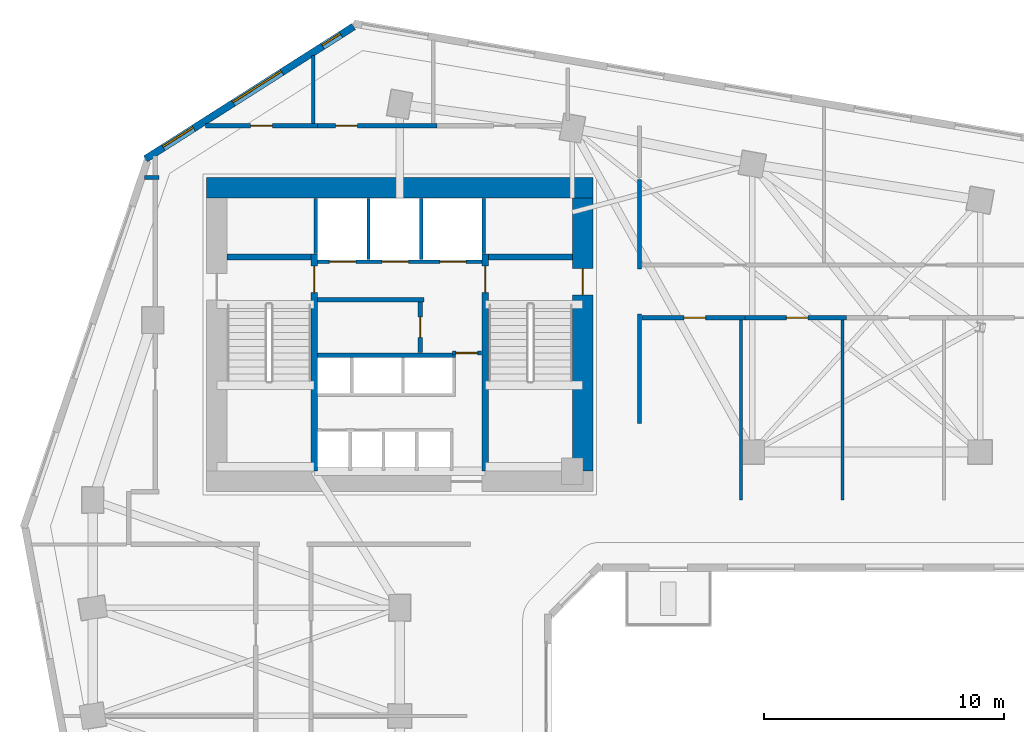
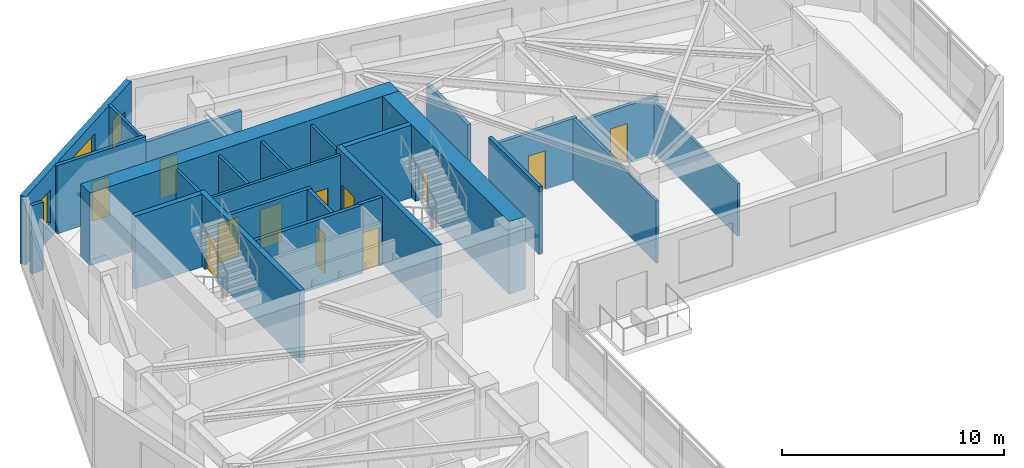
# One storey, part 6 of 9: 26 walls, 12 doors, 3 windows, 15 openings.
"""IFC4 building model written with IfcOpenShell, lengths in metres."""

from ifc_helpers import new_model, si_unit, direction, frame, frame_2d, origin, place, context, subcontext, project, spatial, rectangle, extrude, source, transform, mapped, material, layer, layer_set, type_object, element, fill, save


model = new_model("IFC4")

# Units and contexts
model_context = context("Model", 3, precision=1e-05, world=origin(), true_north=direction((0.0, 1.0)))
body_context = subcontext(model_context, "Body", "Model", "MODEL_VIEW")
ifc_project = project(units=[si_unit("LENGTHUNIT", "METRE"), si_unit("AREAUNIT", "SQUARE_METRE"), si_unit("VOLUMEUNIT", "CUBIC_METRE"), si_unit("PLANEANGLEUNIT", "RADIAN"), si_unit("MASSUNIT", "GRAM", prefix="KILO")], contexts=[model_context])

# Site, building, storey
site_placement = place(None, origin())
site = spatial("IfcSite", under=ifc_project, at=site_placement, CompositionType="ELEMENT")
building_placement = place(site_placement, origin())
building = spatial("IfcBuilding", under=site, at=building_placement, Name="Calvemar Wedge Station Tower", CompositionType="ELEMENT")
storey_placement = place(building_placement, frame((0.0, 0.0, 91.0)))
storey = spatial("IfcBuildingStorey", under=building, at=storey_placement, Name="L22", CompositionType="ELEMENT", Elevation=91.0)

# Wall, opening, door
ifc_material_1 = material(Name="Concrete C50", Category="concrete")
ifc_layer_1 = layer(ifc_material_1, 0.260009765625)
ifc_layer_set_1 = layer_set([ifc_layer_1], Name="Concrete C50")
wall_type_1 = type_object("IfcWallType", Name="SW-CORE-260", PredefinedType="SHEAR", material=ifc_layer_set_1)
wall_1_placement = place(storey_placement, frame((20.22998046875, 34.199951171875, 0.0), z_axis=(0.0, 0.0, 1.0), x_axis=(0.0, 1.0, 0.0)))
wall_1 = element("IfcWall", 1, at=wall_1_placement, inside=storey, type_object=wall_type_1, Name="Storey L22 Core Shear Wall SPINE-W", PredefinedType="SHEAR", context=body_context, shape_type="SweptSolid", body=[
    extrude(rectangle(XDim=9.06005859375, YDim=0.260009765625, at=frame_2d((4.530029296875, 0.0))), origin(), (0.0, 0.0, 1.0), 4.0),
])
shared_shape_1 = source(origin(), body_context, "Body", "SweptSolid", [
    extrude(rectangle(XDim=1.10009765625, YDim=2.14990234375, at=frame_2d((0.550048828125, 1.074951171875))), frame((0.0, 0.14013671875, 0.0), z_axis=(0.0, -1.0, 0.0), x_axis=(1.0, 0.0, 0.0)), (0.0, 0.0, 1.0), 0.280029296875),
])
opening_1_placement = place(wall_1_placement, frame((7.449951171875, 0.0, 0.0)))
opening_1 = element("IfcOpeningElement", 2, at=opening_1_placement, cuts=wall_1, Name="Opening FD-90", PredefinedType="OPENING", context=body_context, shape_type="MappedRepresentation", body=[
    mapped(shared_shape_1, transform((0.0, 0.0, 0.0), scale=1.0)),
])
ifc_material_2 = material(Name="Galvanized fire-rated steel door leaf P-90", Category="steel")
door_type_1 = type_object("IfcDoorType", Name="DR-FD90-1100", OperationType="NOTDEFINED", PredefinedType="DOOR", material=ifc_material_2)
shared_shape_2 = source(origin(), body_context, "Body", "SweptSolid", [
    extrude(rectangle(XDim=1.10009765625, YDim=2.14990234375, at=frame_2d((0.550048828125, 1.074951171875))), frame((0.0, 0.02490234375, 0.0), z_axis=(0.0, -1.0, 0.0), x_axis=(1.0, 0.0, 0.0)), (0.0, 0.0, 1.0), 0.050048828125),
])
door_1_placement = place(opening_1_placement, origin())
door_1 = element("IfcDoor", 3, at=door_1_placement, inside=storey, type_object=door_type_1, Name="L22 FF Lobby to Stair ST-C1 Door", OperationType="SINGLE_SWING_LEFT", OverallHeight=2.14990234375, OverallWidth=1.10009765625, PredefinedType="DOOR", context=body_context, shape_type="MappedRepresentation", body=[
    mapped(shared_shape_2, transform((0.0, 0.0, 0.0), scale=1.0)),
])
fill(opening_1, door_1)

wall_2_placement = place(storey_placement, frame((27.3701171875, 34.199951171875, 0.0), z_axis=(0.0, 0.0, 1.0), x_axis=(0.0, 1.0, 0.0)))
wall_2 = element("IfcWall", 4, at=wall_2_placement, inside=storey, type_object=wall_type_1, Name="Storey L22 Core Shear Wall SPINE-E", PredefinedType="SHEAR", context=body_context, shape_type="SweptSolid", body=[
    extrude(rectangle(XDim=9.06005859375, YDim=0.260009765625, at=frame_2d((4.530029296875, 0.0))), origin(), (0.0, 0.0, 1.0), 4.0),
])
opening_2_placement = place(wall_2_placement, frame((7.449951171875, 0.0, 0.0)))
opening_2 = element("IfcOpeningElement", 5, at=opening_2_placement, cuts=wall_2, Name="Opening FD-90", PredefinedType="OPENING", context=body_context, shape_type="MappedRepresentation", body=[
    mapped(shared_shape_1, transform((0.0, 0.0, 0.0), scale=1.0)),
])
door_2_placement = place(opening_2_placement, origin())
door_2 = element("IfcDoor", 6, at=door_2_placement, inside=storey, type_object=door_type_1, Name="L22 FF Lobby to Stair ST-C2 Door", OperationType="SINGLE_SWING_RIGHT", OverallHeight=2.14990234375, OverallWidth=1.10009765625, PredefinedType="DOOR", context=body_context, shape_type="MappedRepresentation", body=[
    mapped(shared_shape_2, transform((0.0, 0.0, 0.0), scale=1.0)),
])
fill(opening_2, door_2)

# Walls
for number, where, z_axis, x_axis, name in (
    (7, (16.60009765625, 43.1298828125, 0.0), (0.0, 0.0, 1.0), (1.0, 0.0, 0.0), "Storey L22 Core Shear Wall STC1-N"),
    (8, (27.5, 43.1298828125, 0.0), (0.0, 0.0, 1.0), (1.0, 0.0, 0.0), "Storey L22 Core Shear Wall STC2-N"),
):
    element("IfcWall", number, at=place(storey_placement, frame(where, z_axis=z_axis, x_axis=x_axis)), inside=storey, type_object=wall_type_1, Name=name, PredefinedType="SHEAR", context=body_context, shape_type="SweptSolid", body=[
        extrude(rectangle(XDim=3.5, YDim=0.260009765625, at=frame_2d((1.75, 0.0))), origin(), (0.0, 0.0, 1.0), 4.0),
    ])
ifc_material_3 = material(Name="Concrete C80", Category="concrete")
ifc_layer_2 = layer(ifc_material_3, 0.85009765625)
ifc_layer_set_2 = layer_set([ifc_layer_2], Name="Concrete C80")
wall_type_2 = type_object("IfcWallType", Name="SW-CORE-850", PredefinedType="SHEAR", material=ifc_layer_set_2)
wall_3_placement = place(storey_placement, frame((15.75, 46.02490234375, 0.0), z_axis=(0.0, 0.0, 1.0), x_axis=(1.0, 0.0, 0.0)))
element("IfcWall", 9, at=wall_3_placement, inside=storey, type_object=wall_type_2, Name="Storey L22 Core Shear Wall N", PredefinedType="SHEAR", context=body_context, shape_type="SweptSolid", body=[
    extrude(rectangle(XDim=16.10009765625, YDim=0.85009765625, at=frame_2d((8.050048828125, 0.0))), origin(), (0.0, 0.0, 1.0), 4.0),
])

# Wall, opening, door
wall_4_placement = place(storey_placement, frame((31.425048828125, 34.199951171875, 0.0), z_axis=(0.0, 0.0, 1.0), x_axis=(0.0, 1.0, 0.0)))
wall_4 = element("IfcWall", 10, at=wall_4_placement, inside=storey, type_object=wall_type_2, Name="Storey L22 Core Shear Wall E", PredefinedType="SHEAR", context=body_context, shape_type="SweptSolid", body=[
    extrude(rectangle(XDim=11.400146484375, YDim=0.85009765625, at=frame_2d((5.7001953125, 0.0))), origin(), (0.0, 0.0, 1.0), 4.0),
])
shared_shape_3 = source(origin(), body_context, "Body", "SweptSolid", [
    extrude(rectangle(XDim=1.10009765625, YDim=2.14990234375, at=frame_2d((0.550048828125, 1.074951171875))), frame((0.0, 0.43505859375, 0.0), z_axis=(0.0, -1.0, 0.0), x_axis=(1.0, 0.0, 0.0)), (0.0, 0.0, 1.0), 0.8701171875),
])
opening_3_placement = place(wall_4_placement, frame((7.35009765625, 0.0, 0.0)))
opening_3 = element("IfcOpeningElement", 11, at=opening_3_placement, cuts=wall_4, Name="Opening FD-90", PredefinedType="OPENING", context=body_context, shape_type="MappedRepresentation", body=[
    mapped(shared_shape_3, transform((0.0, 0.0, 0.0), scale=1.0)),
])
door_3_placement = place(opening_3_placement, origin())
door_3 = element("IfcDoor", 12, at=door_3_placement, inside=storey, type_object=door_type_1, Name="L22 East Corridor to Exit Stair ST-C2 Door", OperationType="SINGLE_SWING_RIGHT", OverallHeight=2.14990234375, OverallWidth=1.10009765625, PredefinedType="DOOR", context=body_context, shape_type="MappedRepresentation", body=[
    mapped(shared_shape_2, transform((0.0, 0.0, 0.0), scale=1.0)),
])
fill(opening_3, door_3)

# Wall
ifc_material_4 = material(Name="Double-stud fire-rated corridor partition")
ifc_layer_3 = layer(ifc_material_4, 0.179931640625)
ifc_layer_set_3 = layer_set([ifc_layer_3], Name="Double-stud fire-rated corridor partition")
wall_type_3 = type_object("IfcWallType", Name="W-CORR-180", PredefinedType="PARTITIONING", material=ifc_layer_set_3)
wall_5_placement = place(storey_placement, frame((24.81005859375, 41.35009765625, 0.0), z_axis=(0.0, 0.0, 1.0), x_axis=(-1.0, 0.0, 0.0)))
element("IfcWall", 13, at=wall_5_placement, inside=storey, type_object=wall_type_3, Name="Storey L22 Interior Partition WL-L22-001", PredefinedType="PARTITIONING", context=body_context, shape_type="SweptSolid", body=[
    extrude(rectangle(XDim=4.43017578125, YDim=0.179931640625, at=frame_2d((2.215087890625, 0.0))), origin(), (0.0, 0.0, 1.0), 3.75),
])

# Wall, opening, door
wall_6_placement = place(storey_placement, frame((24.64990234375, 41.256103515625, 0.0), z_axis=(0.0, 0.0, 1.0), x_axis=(0.0, -1.0, 0.0)))
wall_6 = element("IfcWall", 14, at=wall_6_placement, inside=storey, type_object=wall_type_3, Name="Storey L22 Interior Partition WL-L22-002", PredefinedType="PARTITIONING", context=body_context, shape_type="SweptSolid", body=[
    extrude(rectangle(XDim=2.106201171875, YDim=0.179931640625, at=frame_2d((1.05322265625, 0.0))), origin(), (0.0, 0.0, 1.0), 3.75),
])
shared_shape_4 = source(origin(), body_context, "Body", "SweptSolid", [
    extrude(rectangle(XDim=0.85009765625, YDim=2.14990234375, at=frame_2d((0.425048828125, 1.074951171875))), frame((0.0, 0.10009765625, 0.0), z_axis=(0.0, -1.0, 0.0), x_axis=(1.0, 0.0, 0.0)), (0.0, 0.0, 1.0), 0.199951171875),
])
opening_4_placement = place(wall_6_placement, frame((0.6279296875, 0.0, 0.0)))
opening_4 = element("IfcOpeningElement", 15, at=opening_4_placement, cuts=wall_6, Name="Opening FD-60S", PredefinedType="OPENING", context=body_context, shape_type="MappedRepresentation", body=[
    mapped(shared_shape_4, transform((0.0, 0.0, 0.0), scale=1.0)),
])
ifc_material_5 = material(Name="Fire-rated steel and hardwood service door EI 60", Category="steel")
door_type_2 = type_object("IfcDoorType", Name="DR-CORE-FD60-850", OperationType="NOTDEFINED", PredefinedType="DOOR", material=ifc_material_5)
shared_shape_5 = source(origin(), body_context, "Body", "SweptSolid", [
    extrude(rectangle(XDim=0.85009765625, YDim=2.14990234375, at=frame_2d((0.425048828125, 1.074951171875))), frame((0.0, 0.02490234375, 0.0), z_axis=(0.0, -1.0, 0.0), x_axis=(1.0, 0.0, 0.0)), (0.0, 0.0, 1.0), 0.050048828125),
])
door_4_placement = place(opening_4_placement, origin())
door_4 = element("IfcDoor", 16, at=door_4_placement, inside=storey, type_object=door_type_2, Name="L22 Cleaner and Linen Store Door", OperationType="SINGLE_SWING_LEFT", OverallHeight=2.14990234375, OverallWidth=0.85009765625, PredefinedType="DOOR", context=body_context, shape_type="MappedRepresentation", body=[
    mapped(shared_shape_5, transform((0.0, 0.0, 0.0), scale=1.0)),
])
fill(opening_4, door_4)

wall_7_placement = place(storey_placement, frame((27.199951171875, 39.1298828125, 0.0), z_axis=(0.0, 0.0, 1.0), x_axis=(-1.0, 0.0, 0.0)))
wall_7 = element("IfcWall", 17, at=wall_7_placement, inside=storey, type_object=wall_type_3, Name="Storey L22 Interior Partition WL-L22-003", PredefinedType="PARTITIONING", context=body_context, shape_type="SweptSolid", body=[
    extrude(rectangle(XDim=1.2099609375, YDim=0.179931640625, at=frame_2d((0.60498046875, 0.0))), origin(), (0.0, 0.0, 1.0), 3.75),
])
shared_shape_6 = source(origin(), body_context, "Body", "SweptSolid", [
    extrude(rectangle(XDim=0.89990234375, YDim=2.14990234375, at=frame_2d((0.449951171875, 1.074951171875))), frame((0.0, 0.10009765625, 0.0), z_axis=(0.0, -1.0, 0.0), x_axis=(1.0, 0.0, 0.0)), (0.0, 0.0, 1.0), 0.199951171875),
])
opening_5_placement = place(wall_7_placement, frame((0.155029296875, 0.0, 0.0)))
opening_5 = element("IfcOpeningElement", 18, at=opening_5_placement, cuts=wall_7, Name="Opening FD-60", PredefinedType="OPENING", context=body_context, shape_type="MappedRepresentation", body=[
    mapped(shared_shape_6, transform((0.0, 0.0, 0.0), scale=1.0)),
])
ifc_material_6 = material(Name="Fire-rated acoustic timber-core entrance door EI 60", Category="wood")
door_type_3 = type_object("IfcDoorType", Name="DR-FD60-900", OperationType="NOTDEFINED", PredefinedType="DOOR", material=ifc_material_6)
shared_shape_7 = source(origin(), body_context, "Body", "SweptSolid", [
    extrude(rectangle(XDim=0.89990234375, YDim=2.14990234375, at=frame_2d((0.449951171875, 1.074951171875))), frame((0.0, 0.02490234375, 0.0), z_axis=(0.0, -1.0, 0.0), x_axis=(1.0, 0.0, 0.0)), (0.0, 0.0, 1.0), 0.050048828125),
])
door_5_placement = place(opening_5_placement, origin())
door_5 = element("IfcDoor", 19, at=door_5_placement, inside=storey, type_object=door_type_3, Name="L22 Core Service Lobby Door", OperationType="SINGLE_SWING_RIGHT", OverallHeight=2.14990234375, OverallWidth=0.89990234375, PredefinedType="DOOR", context=body_context, shape_type="MappedRepresentation", body=[
    mapped(shared_shape_7, transform((0.0, 0.0, 0.0), scale=1.0)),
])
fill(opening_5, door_5)

# Wall
wall_8_placement = place(storey_placement, frame((13.760009765625, 46.449951171875, 0.0), z_axis=(0.0, 0.0, 1.0), x_axis=(-1.0, 0.0, 0.0)))
element("IfcWall", 20, at=wall_8_placement, inside=storey, type_object=wall_type_3, Name="Storey L22 Interior Partition WL-L22-009", PredefinedType="PARTITIONING", context=body_context, shape_type="SweptSolid", body=[
    extrude(rectangle(XDim=0.60107421875, YDim=0.179931640625, at=frame_2d((0.300537109375, 0.0))), origin(), (0.0, 0.0, 1.0), 3.75),
])

# Wall, opening, door
wall_9_placement = place(storey_placement, frame((15.709716796875, 48.60009765625, 0.0), z_axis=(0.0, 0.0, 1.0), x_axis=(1.0, 0.0, 0.0)))
wall_9 = element("IfcWall", 21, at=wall_9_placement, inside=storey, type_object=wall_type_3, Name="Storey L22 Interior Partition WL-L22-010", PredefinedType="PARTITIONING", context=body_context, shape_type="SweptSolid", body=[
    extrude(rectangle(XDim=4.650390625, YDim=0.179931640625, at=frame_2d((2.3251953125, 0.0))), origin(), (0.0, 0.0, 1.0), 3.75),
])
opening_6_placement = place(wall_9_placement, frame((1.875, 0.0, 0.0)))
opening_6 = element("IfcOpeningElement", 22, at=opening_6_placement, cuts=wall_9, Name="Opening D-01", PredefinedType="OPENING", context=body_context, shape_type="MappedRepresentation", body=[
    mapped(shared_shape_6, transform((0.0, 0.0, 0.0), scale=1.0)),
])
ifc_material_7 = material(Name="Architectural hardwood acoustic swing door", Category="wood")
door_type_4 = type_object("IfcDoorType", Name="DR-INT-900", OperationType="NOTDEFINED", PredefinedType="DOOR", material=ifc_material_7)
shared_shape_8 = source(origin(), body_context, "Body", "SweptSolid", [
    extrude(rectangle(XDim=0.89990234375, YDim=2.14990234375, at=frame_2d((0.449951171875, 1.074951171875))), frame((0.0, 0.02490234375, 0.0), z_axis=(0.0, -1.0, 0.0), x_axis=(1.0, 0.0, 0.0)), (0.0, 0.0, 1.0), 0.050048828125),
])
door_6_placement = place(opening_6_placement, origin())
door_6 = element("IfcDoor", 23, at=door_6_placement, inside=storey, type_object=door_type_4, Name="L22 Male Toilet Door", OperationType="SINGLE_SWING_RIGHT", OverallHeight=2.14990234375, OverallWidth=0.89990234375, PredefinedType="DOOR", context=body_context, shape_type="MappedRepresentation", body=[
    mapped(shared_shape_8, transform((0.0, 0.0, 0.0), scale=1.0)),
])
fill(opening_6, door_6)

wall_10_placement = place(storey_placement, frame((20.362060546875, 48.60009765625, 0.0), z_axis=(0.0, 0.0, 1.0), x_axis=(1.0, 0.0, 0.0)))
wall_10 = element("IfcWall", 24, at=wall_10_placement, inside=storey, type_object=wall_type_3, Name="Storey L22 Interior Partition WL-L22-011", PredefinedType="PARTITIONING", context=body_context, shape_type="SweptSolid", body=[
    extrude(rectangle(XDim=4.998046875, YDim=0.179931640625, at=frame_2d((2.4990234375, 0.0))), origin(), (0.0, 0.0, 1.0), 3.4189453125),
])
opening_7_placement = place(wall_10_placement, frame((0.76806640625, 0.0, 0.0)))
opening_7 = element("IfcOpeningElement", 25, at=opening_7_placement, cuts=wall_10, Name="Opening D-01", PredefinedType="OPENING", context=body_context, shape_type="MappedRepresentation", body=[
    mapped(shared_shape_6, transform((0.0, 0.0, 0.0), scale=1.0)),
])
door_7_placement = place(opening_7_placement, origin())
door_7 = element("IfcDoor", 26, at=door_7_placement, inside=storey, type_object=door_type_4, Name="L22 Co-Working Studio Door", OperationType="SINGLE_SWING_LEFT", OverallHeight=2.14990234375, OverallWidth=0.89990234375, PredefinedType="DOOR", context=body_context, shape_type="MappedRepresentation", body=[
    mapped(shared_shape_8, transform((0.0, 0.0, 0.0), scale=1.0)),
])
fill(opening_7, door_7)

# Walls
wall_11_placement = place(storey_placement, frame((33.800048828125, 40.760009765625, 0.0), z_axis=(0.0, 0.0, 1.0), x_axis=(0.0, -1.0, 0.0)))
element("IfcWall", 27, at=wall_11_placement, inside=storey, type_object=wall_type_3, Name="Storey L22 Interior Partition WL-L22-014", PredefinedType="PARTITIONING", context=body_context, shape_type="SweptSolid", body=[
    extrude(rectangle(XDim=4.56005859375, YDim=0.179931640625, at=frame_2d((2.280029296875, 0.0))), origin(), (0.0, 0.0, 1.0), 3.75),
])
wall_12_placement = place(storey_placement, frame((33.800048828125, 46.35595703125, 0.0), z_axis=(0.0, 0.0, 1.0), x_axis=(0.0, -1.0, 0.0)))
element("IfcWall", 28, at=wall_12_placement, inside=storey, type_object=wall_type_3, Name="Storey L22 Interior Partition WL-L22-015", PredefinedType="PARTITIONING", context=body_context, shape_type="SweptSolid", body=[
    extrude(rectangle(XDim=3.716064453125, YDim=0.179931640625, at=frame_2d((1.85791015625, 0.0))), origin(), (0.0, 0.0, 1.0), 3.279052734375),
])

# Wall, opening, door
wall_13_placement = place(storey_placement, frame((38.194091796875, 40.60009765625, 0.0), z_axis=(0.0, 0.0, 1.0), x_axis=(-1.0, 0.0, 0.0)))
wall_13 = element("IfcWall", 29, at=wall_13_placement, inside=storey, type_object=wall_type_3, Name="Storey L22 Interior Partition WL-L22-019", PredefinedType="PARTITIONING", context=body_context, shape_type="SweptSolid", body=[
    extrude(rectangle(XDim=4.300048828125, YDim=0.179931640625, at=frame_2d((2.14990234375, 0.0))), origin(), (0.0, 0.0, 1.0), 3.4189453125),
])
opening_8_placement = place(wall_13_placement, frame((1.63818359375, 0.0, 0.0)))
opening_8 = element("IfcOpeningElement", 30, at=opening_8_placement, cuts=wall_13, Name="Opening D-01", PredefinedType="OPENING", context=body_context, shape_type="MappedRepresentation", body=[
    mapped(shared_shape_6, transform((0.0, 0.0, 0.0), scale=1.0)),
])
door_8_placement = place(opening_8_placement, origin())
door_8 = element("IfcDoor", 31, at=door_8_placement, inside=storey, type_object=door_type_4, Name="L22 Co-Working Studio Door", OperationType="SINGLE_SWING_LEFT", OverallHeight=2.14990234375, OverallWidth=0.89990234375, PredefinedType="DOOR", context=body_context, shape_type="MappedRepresentation", body=[
    mapped(shared_shape_8, transform((0.0, 0.0, 0.0), scale=1.0)),
])
fill(opening_8, door_8)

wall_14_placement = place(storey_placement, frame((42.427001953125, 40.60009765625, 0.0), z_axis=(0.0, 0.0, 1.0), x_axis=(-1.0, 0.0, 0.0)))
wall_14 = element("IfcWall", 32, at=wall_14_placement, inside=storey, type_object=wall_type_3, Name="Storey L22 Interior Partition WL-L22-020", PredefinedType="PARTITIONING", context=body_context, shape_type="SweptSolid", body=[
    extrude(rectangle(XDim=4.23095703125, YDim=0.179931640625, at=frame_2d((2.115478515625, 0.0))), origin(), (0.0, 0.0, 1.0), 3.125),
])
opening_9_placement = place(wall_14_placement, frame((1.605224609375, 0.0, 0.0)))
opening_9 = element("IfcOpeningElement", 33, at=opening_9_placement, cuts=wall_14, Name="Opening D-01", PredefinedType="OPENING", context=body_context, shape_type="MappedRepresentation", body=[
    mapped(shared_shape_6, transform((0.0, 0.0, 0.0), scale=1.0)),
])
door_9_placement = place(opening_9_placement, origin())
door_9 = element("IfcDoor", 34, at=door_9_placement, inside=storey, type_object=door_type_4, Name="L22 Co-Working Studio Door", OperationType="SINGLE_SWING_RIGHT", OverallHeight=2.14990234375, OverallWidth=0.89990234375, PredefinedType="DOOR", context=body_context, shape_type="MappedRepresentation", body=[
    mapped(shared_shape_8, transform((0.0, 0.0, 0.0), scale=1.0)),
])
fill(opening_9, door_9)

# Wall, openings, windows
ifc_material_8 = material(Name="Precast concrete C45", Category="concrete")
ifc_layer_4 = layer(ifc_material_8, 0.300048828125)
ifc_layer_set_4 = layer_set([ifc_layer_4], Name="Precast concrete C45")
wall_type_4 = type_object("IfcWallType", Name="W-EXT-GFRC-300", PredefinedType="SOLIDWALL", material=ifc_layer_set_4)
wall_15_placement = place(storey_placement, frame((21.874755859375, 52.742431640625, 0.0), z_axis=(0.0, 0.0, 1.0), x_axis=(-0.843662465249, -0.536873956092, 0.0)))
wall_15 = element("IfcWall", 35, at=wall_15_placement, inside=storey, type_object=wall_type_4, Name="Storey L22 Bronze GFRC Exterior Wall 11", PredefinedType="SOLIDWALL", context=body_context, shape_type="SweptSolid", body=[
    extrude(rectangle(XDim=10.283935546875, YDim=0.300048828125, at=frame_2d((5.14208984375, 0.0))), origin(), (0.0, 0.0, 1.0), 3.75),
])
shared_shape_9 = source(origin(), body_context, "Body", "SweptSolid", [
    extrude(rectangle(XDim=0.89990234375, YDim=1.60009765625, at=frame_2d((0.449951171875, 0.800048828125))), frame((0.0, 0.16015625, 0.0), z_axis=(0.0, -1.0, 0.0), x_axis=(1.0, 0.0, 0.0)), (0.0, 0.0, 1.0), 0.320068359375),
])
opening_10_placement = place(wall_15_placement, frame((0.62890625, 0.0, 0.85009765625)))
opening_10 = element("IfcOpeningElement", 36, at=opening_10_placement, cuts=wall_15, Name="Opening W7", PredefinedType="OPENING", context=body_context, shape_type="MappedRepresentation", body=[
    mapped(shared_shape_9, transform((0.0, 0.0, 0.0), scale=1.0)),
])
shared_shape_10 = source(origin(), body_context, "Body", "SweptSolid", [
    extrude(rectangle(XDim=2.39990234375, YDim=2.199951171875, at=frame_2d((1.199951171875, 1.10009765625))), frame((0.0, 0.16015625, 0.0), z_axis=(0.0, -1.0, 0.0), x_axis=(1.0, 0.0, 0.0)), (0.0, 0.0, 1.0), 0.320068359375),
])
opening_11_placement = place(wall_15_placement, frame((3.5419921875, 0.0, 0.85009765625)))
opening_11 = element("IfcOpeningElement", 37, at=opening_11_placement, cuts=wall_15, Name="Opening W1", PredefinedType="OPENING", context=body_context, shape_type="MappedRepresentation", body=[
    mapped(shared_shape_10, transform((0.0, 0.0, 0.0), scale=1.0)),
])
shared_shape_11 = source(origin(), body_context, "Body", "SweptSolid", [
    extrude(rectangle(XDim=1.5, YDim=1.800048828125, at=frame_2d((0.75, 0.89990234375))), frame((0.0, 0.16015625, 0.0), z_axis=(0.0, -1.0, 0.0), x_axis=(1.0, 0.0, 0.0)), (0.0, 0.0, 1.0), 0.320068359375),
])
opening_12_placement = place(wall_15_placement, frame((7.903076171875, 0.0, 0.85009765625)))
opening_12 = element("IfcOpeningElement", 38, at=opening_12_placement, cuts=wall_15, Name="Opening W3", PredefinedType="OPENING", context=body_context, shape_type="MappedRepresentation", body=[
    mapped(shared_shape_11, transform((0.0, 0.0, 0.0), scale=1.0)),
])
ifc_material_9 = material(Name="Low-E laminated insulated glass", Category="glass")
window_type_1 = type_object("IfcWindowType", Name="WIN-EXT-1", PartitioningType="SINGLE_PANEL", PredefinedType="WINDOW", material=ifc_material_9)
shared_shape_12 = source(origin(), body_context, "Body", "SweptSolid", [
    extrude(rectangle(XDim=2.39990234375, YDim=2.199951171875, at=frame_2d((1.199951171875, 1.10009765625))), frame((0.0, -0.014892578125, 0.0), z_axis=(0.0, -1.0, 0.0), x_axis=(1.0, 0.0, 0.0)), (0.0, 0.0, 1.0), 0.06005859375),
])
window_1_placement = place(opening_11_placement, origin())
window_1 = element("IfcWindow", 39, at=window_1_placement, inside=storey, type_object=window_type_1, Name="Storey L22 Recessed Window 11.2", OverallHeight=2.199951171875, OverallWidth=2.39990234375, PartitioningType="SINGLE_PANEL", PredefinedType="WINDOW", context=body_context, shape_type="MappedRepresentation", body=[
    mapped(shared_shape_12, transform((0.0, 0.0, 0.0), scale=1.0)),
])
fill(opening_11, window_1)
window_type_2 = type_object("IfcWindowType", Name="WIN-EXT-3", PartitioningType="SINGLE_PANEL", PredefinedType="WINDOW", material=ifc_material_9)
shared_shape_13 = source(origin(), body_context, "Body", "SweptSolid", [
    extrude(rectangle(XDim=1.5, YDim=1.800048828125, at=frame_2d((0.75, 0.89990234375))), frame((0.0, -0.014892578125, 0.0), z_axis=(0.0, -1.0, 0.0), x_axis=(1.0, 0.0, 0.0)), (0.0, 0.0, 1.0), 0.06005859375),
])
window_2_placement = place(opening_12_placement, origin())
window_2 = element("IfcWindow", 40, at=window_2_placement, inside=storey, type_object=window_type_2, Name="Storey L22 Recessed Window 11.3", OverallHeight=1.800048828125, OverallWidth=1.5, PartitioningType="SINGLE_PANEL", PredefinedType="WINDOW", context=body_context, shape_type="MappedRepresentation", body=[
    mapped(shared_shape_13, transform((0.0, 0.0, 0.0), scale=1.0)),
])
fill(opening_12, window_2)
window_type_3 = type_object("IfcWindowType", Name="WIN-EXT-7", PartitioningType="SINGLE_PANEL", PredefinedType="WINDOW", material=ifc_material_9)
shared_shape_14 = source(origin(), body_context, "Body", "SweptSolid", [
    extrude(rectangle(XDim=0.89990234375, YDim=1.60009765625, at=frame_2d((0.449951171875, 0.800048828125))), frame((0.0, -0.014892578125, 0.0), z_axis=(0.0, -1.0, 0.0), x_axis=(1.0, 0.0, 0.0)), (0.0, 0.0, 1.0), 0.06005859375),
])
window_3_placement = place(opening_10_placement, origin())
window_3 = element("IfcWindow", 41, at=window_3_placement, inside=storey, type_object=window_type_3, Name="Storey L22 Recessed Window 11.1", OverallHeight=1.60009765625, OverallWidth=0.89990234375, PartitioningType="SINGLE_PANEL", PredefinedType="WINDOW", context=body_context, shape_type="MappedRepresentation", body=[
    mapped(shared_shape_14, transform((0.0, 0.0, 0.0), scale=1.0)),
])
fill(opening_10, window_3)

# Wall, openings, doors
ifc_material_10 = material(Name="Reinforced concrete blockwork lift shaft wall", Category="masonry")
ifc_layer_5 = layer(ifc_material_10, 0.139892578125)
ifc_layer_set_5 = layer_set([ifc_layer_5], Name="Reinforced concrete blockwork lift shaft wall")
wall_type_5 = type_object("IfcWallType", Name="W-LIFT-160", PredefinedType="SOLIDWALL", material=ifc_layer_set_5)
wall_16_placement = place(storey_placement, frame((20.3701171875, 42.929931640625, 0.0), z_axis=(0.0, 0.0, 1.0), x_axis=(1.0, 0.0, 0.0)))
wall_16 = element("IfcWall", 42, at=wall_16_placement, inside=storey, type_object=wall_type_5, Name="Storey L22 Firefighting and Service Lift Shaft Front Wall", PredefinedType="SOLIDWALL", context=body_context, shape_type="SweptSolid", body=[
    extrude(rectangle(XDim=6.85986328125, YDim=0.139892578125, at=frame_2d((3.429931640625, 0.0))), origin(), (0.0, 0.0, 1.0), 3.75),
])
shared_shape_15 = source(origin(), body_context, "Body", "SweptSolid", [
    extrude(rectangle(XDim=1.10009765625, YDim=2.14990234375, at=frame_2d((0.550048828125, 1.074951171875))), frame((0.0, 0.080078125, 0.0), z_axis=(0.0, -1.0, 0.0), x_axis=(1.0, 0.0, 0.0)), (0.0, 0.0, 1.0), 0.159912109375),
])
opening_13_placement = place(wall_16_placement, frame((0.5, 0.0, 0.0)))
opening_13 = element("IfcOpeningElement", 43, at=opening_13_placement, cuts=wall_16, Name="Opening LD-FF", PredefinedType="OPENING", context=body_context, shape_type="MappedRepresentation", body=[
    mapped(shared_shape_15, transform((0.0, 0.0, 0.0), scale=1.0)),
])
opening_14_placement = place(wall_16_placement, frame((2.699951171875, 0.0, 0.0)))
opening_14 = element("IfcOpeningElement", 44, at=opening_14_placement, cuts=wall_16, Name="Opening LD-FF", PredefinedType="OPENING", context=body_context, shape_type="MappedRepresentation", body=[
    mapped(shared_shape_15, transform((0.0, 0.0, 0.0), scale=1.0)),
])
opening_15_placement = place(wall_16_placement, frame((5.10009765625, 0.0, 0.0)))
opening_15 = element("IfcOpeningElement", 45, at=opening_15_placement, cuts=wall_16, Name="Opening LD-STN", PredefinedType="OPENING", context=body_context, shape_type="MappedRepresentation", body=[
    mapped(shared_shape_15, transform((0.0, 0.0, 0.0), scale=1.0)),
])
ifc_material_11 = material(Name="Stainless steel firefighting lift sliding landing door", Category="steel")
door_type_5 = type_object("IfcDoorType", Name="DR-LD-FF-1100", OperationType="SLIDING_TO_LEFT", PredefinedType="DOOR", material=ifc_material_11)
shared_shape_16 = source(origin(), body_context, "Body", "SweptSolid", [
    extrude(rectangle(XDim=1.10009765625, YDim=2.14990234375, at=frame_2d((0.550048828125, 1.074951171875))), frame((0.0, 0.02490234375, 0.0), z_axis=(0.0, -1.0, 0.0), x_axis=(1.0, 0.0, 0.0)), (0.0, 0.0, 1.0), 0.050048828125),
])
door_10_placement = place(opening_13_placement, origin())
door_10 = element("IfcDoor", 46, at=door_10_placement, inside=storey, type_object=door_type_5, Name="L22 Lift FF-01 Sliding Landing Door", OperationType="SLIDING_TO_LEFT", OverallHeight=2.14990234375, OverallWidth=1.10009765625, PredefinedType="DOOR", context=body_context, shape_type="MappedRepresentation", body=[
    mapped(shared_shape_16, transform((0.0, 0.0, 0.0), scale=1.0)),
])
fill(opening_13, door_10)
door_11_placement = place(opening_14_placement, origin())
door_11 = element("IfcDoor", 47, at=door_11_placement, inside=storey, type_object=door_type_5, Name="L22 Lift FF-02 Sliding Landing Door", OperationType="SLIDING_TO_RIGHT", OverallHeight=2.14990234375, OverallWidth=1.10009765625, PredefinedType="DOOR", context=body_context, shape_type="MappedRepresentation", body=[
    mapped(shared_shape_16, transform((0.0, 0.0, 0.0), scale=1.0)),
])
fill(opening_14, door_11)
ifc_material_12 = material(Name="Stainless steel transit lift sliding landing door", Category="steel")
door_type_6 = type_object("IfcDoorType", Name="DR-LD-PAX-1100", OperationType="SLIDING_TO_LEFT", PredefinedType="DOOR", material=ifc_material_12)
shared_shape_17 = source(origin(), body_context, "Body", "SweptSolid", [
    extrude(rectangle(XDim=1.10009765625, YDim=2.14990234375, at=frame_2d((0.550048828125, 1.074951171875))), frame((0.0, 0.02490234375, 0.0), z_axis=(0.0, -1.0, 0.0), x_axis=(1.0, 0.0, 0.0)), (0.0, 0.0, 1.0), 0.050048828125),
])
door_12_placement = place(opening_15_placement, origin())
door_12 = element("IfcDoor", 48, at=door_12_placement, inside=storey, type_object=door_type_6, Name="L22 Lift SV-01 Sliding Landing Door", OperationType="SLIDING_TO_LEFT", OverallHeight=2.14990234375, OverallWidth=1.10009765625, PredefinedType="DOOR", context=body_context, shape_type="MappedRepresentation", body=[
    mapped(shared_shape_17, transform((0.0, 0.0, 0.0), scale=1.0)),
])
fill(opening_15, door_12)

# Walls
for number, where, z_axis, x_axis, name in (
    (49, (20.2900390625, 43.280029296875, 0.0), (0.0, 0.0, 1.0), (0.0, 1.0, 0.0), "Storey L22 Firefighting Lift Shaft Enclosure Wall W"),
    (50, (27.31005859375, 43.280029296875, 0.0), (0.0, 0.0, 1.0), (0.0, 1.0, 0.0), "Storey L22 Firefighting Lift Shaft Enclosure Wall E"),
):
    element("IfcWall", number, at=place(storey_placement, frame(where, z_axis=z_axis, x_axis=x_axis)), inside=storey, type_object=wall_type_5, Name=name, PredefinedType="SOLIDWALL", context=body_context, shape_type="SweptSolid", body=[
        extrude(rectangle(XDim=2.300048828125, YDim=0.139892578125, at=frame_2d((1.14990234375, 0.0))), origin(), (0.0, 0.0, 1.0), 3.75),
    ])
for number, where, z_axis, x_axis, name in (
    (51, (22.5, 43.02001953125, 0.0), (0.0, 0.0, 1.0), (0.0, 1.0, 0.0), "Storey L22 Firefighting Lift Shaft Enclosure Wall D1"),
    (52, (24.699951171875, 43.02001953125, 0.0), (0.0, 0.0, 1.0), (0.0, 1.0, 0.0), "Storey L22 Firefighting Lift Shaft Enclosure Wall D2"),
):
    element("IfcWall", number, at=place(storey_placement, frame(where, z_axis=z_axis, x_axis=x_axis)), inside=storey, type_object=wall_type_5, Name=name, PredefinedType="SOLIDWALL", context=body_context, shape_type="SweptSolid", body=[
        extrude(rectangle(XDim=2.56005859375, YDim=0.139892578125, at=frame_2d((1.280029296875, 0.0))), origin(), (0.0, 0.0, 1.0), 3.75),
    ])
ifc_material_13 = material(Name="Insulated acoustic gypsum stud partition")
ifc_layer_6 = layer(ifc_material_13, 0.125)
ifc_layer_set_6 = layer_set([ifc_layer_6], Name="Insulated acoustic gypsum stud partition")
wall_type_6 = type_object("IfcWallType", Name="W-PART-125", PredefinedType="PARTITIONING", material=ifc_layer_set_6)
wall_17_placement = place(storey_placement, frame((38.033935546875, 40.506103515625, 0.0), z_axis=(0.0, 0.0, 1.0), x_axis=(0.0, -1.0, 0.0)))
element("IfcWall", 53, at=wall_17_placement, inside=storey, type_object=wall_type_6, Name="Storey L22 Interior Partition WL-L22-026", PredefinedType="PARTITIONING", context=body_context, shape_type="SweptSolid", body=[
    extrude(rectangle(XDim=7.506103515625, YDim=0.125, at=frame_2d((3.7529296875, 0.0))), origin(), (0.0, 0.0, 1.0), 3.4189453125),
])
wall_18_placement = place(storey_placement, frame((42.26708984375, 40.506103515625, 0.0), z_axis=(0.0, 0.0, 1.0), x_axis=(0.0, -1.0, 0.0)))
element("IfcWall", 54, at=wall_18_placement, inside=storey, type_object=wall_type_6, Name="Storey L22 Interior Partition WL-L22-027", PredefinedType="PARTITIONING", context=body_context, shape_type="SweptSolid", body=[
    extrude(rectangle(XDim=7.506103515625, YDim=0.125, at=frame_2d((3.7529296875, 0.0))), origin(), (0.0, 0.0, 1.0), 2.89208984375),
])
ifc_material_14 = material(Name="Concrete blockwork and fireboard shaft wall", Category="masonry")
ifc_layer_7 = layer(ifc_material_14, 0.199951171875)
ifc_layer_set_7 = layer_set([ifc_layer_7], Name="Concrete blockwork and fireboard shaft wall")
wall_type_7 = type_object("IfcWallType", Name="W-SHAFT-200", PredefinedType="SOLIDWALL", material=ifc_layer_set_7)
wall_19_placement = place(storey_placement, frame((20.3798828125, 39.0400390625, 0.0), z_axis=(0.0, 0.0, 1.0), x_axis=(1.0, 0.0, 0.0)))
element("IfcWall", 55, at=wall_19_placement, inside=storey, type_object=wall_type_7, Name="Storey L22 Upper Passenger Lift Bank Rear Shaft Wall", PredefinedType="SOLIDWALL", context=body_context, shape_type="SweptSolid", body=[
    extrude(rectangle(XDim=5.75, YDim=0.179931640625, at=frame_2d((2.875, 0.0))), origin(), (0.0, 0.0, 1.0), 3.75),
])
ifc_material_15 = material(Name="Moisture-resistant acoustic bathroom partition")
ifc_layer_8 = layer(ifc_material_15, 0.14990234375)
ifc_layer_set_8 = layer_set([ifc_layer_8], Name="Moisture-resistant acoustic bathroom partition")
wall_type_8 = type_object("IfcWallType", Name="W-WET-150", PredefinedType="PARTITIONING", material=ifc_layer_set_8)
wall_20_placement = place(storey_placement, frame((20.199951171875, 51.540283203125, 0.0), z_axis=(0.0, 0.0, 1.0), x_axis=(0.0, -1.0, 0.0)))
element("IfcWall", 56, at=wall_20_placement, inside=storey, type_object=wall_type_8, Name="Storey L22 Interior Partition WL-L22-017", PredefinedType="PARTITIONING", context=body_context, shape_type="SweptSolid", body=[
    extrude(rectangle(XDim=2.84619140625, YDim=0.14990234375, at=frame_2d((1.423095703125, 0.0))), origin(), (0.0, 0.0, 1.0), 3.75),
])

save(model, "model.ifc")
